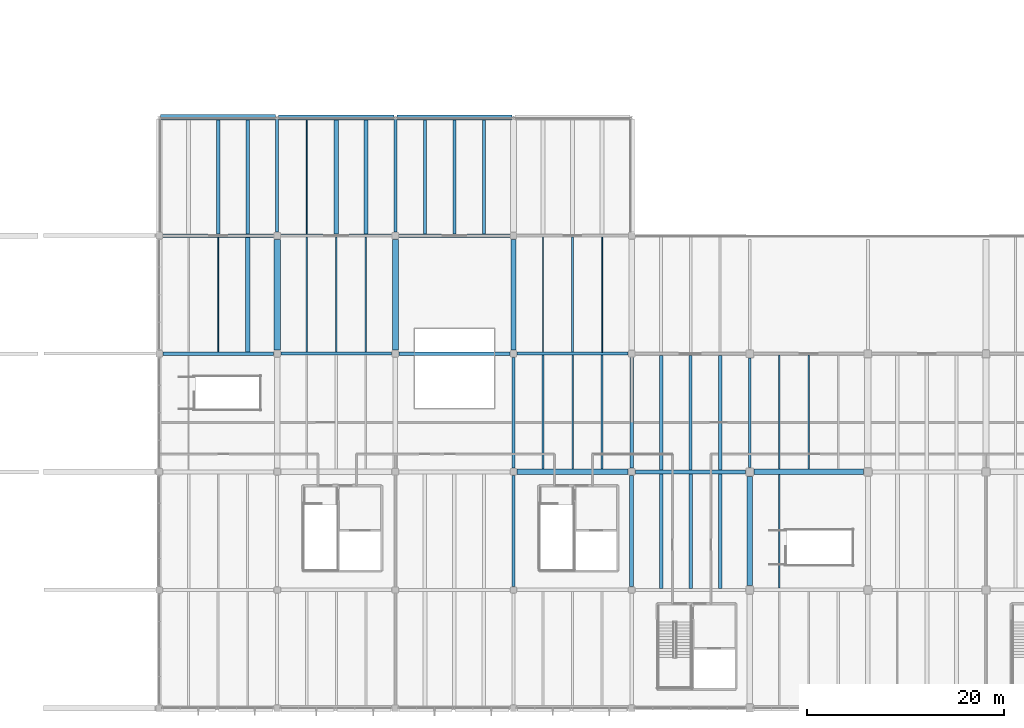
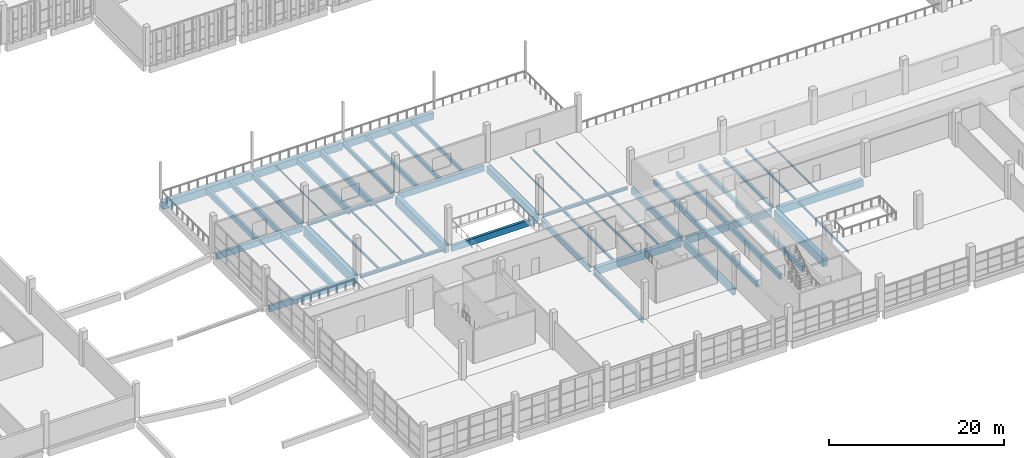
# One storey, part 24 of 112: 52 beams.
"""IFC4 building model written with IfcOpenShell, lengths in metres."""

from ifc_helpers import new_model, si_unit, direction, frame, origin, origin_2d, place, context, subcontext, project, spatial, rectangle, i_section, extrude, material, material_profile, profile_set, type_object, element, save


model = new_model("IFC4")

# Units and contexts
model_context = context("Model", 3, precision=1e-05, world=origin(), true_north=direction((0.0, 1.0)))
body_context = subcontext(model_context, "Body", "Model", "MODEL_VIEW")
ifc_project = project(units=[si_unit("LENGTHUNIT", "METRE"), si_unit("AREAUNIT", "SQUARE_METRE"), si_unit("VOLUMEUNIT", "CUBIC_METRE"), si_unit("PLANEANGLEUNIT", "RADIAN"), si_unit("MASSUNIT", "GRAM", prefix="KILO")], contexts=[model_context])

# Site, building, storey
site_placement = place(None, origin())
site = spatial("IfcSite", under=ifc_project, at=site_placement, CompositionType="ELEMENT")
building_placement = place(site_placement, origin())
building = spatial("IfcBuilding", under=site, at=building_placement, Name="Kamomehara Wholesale Market", CompositionType="ELEMENT")
storey_placement = place(building_placement, frame((0.0, 0.0, 6.60009765625)))
storey = spatial("IfcBuildingStorey", under=building, at=storey_placement, Name="L01", CompositionType="ELEMENT", Elevation=6.60009765625)

# Beams
ifc_material_1 = material(Name="Precast concrete Fc45 (C40/50)", Category="concrete")
ifc_material_profile_1 = material_profile(ifc_material_1, rectangle(XDim=0.5, YDim=1.0, at=origin_2d()), Name="PC-GRD-500x1000")
ifc_profile_set_1 = profile_set([ifc_material_profile_1], Name="Precast concrete Fc45 (C40/50)")
beam_type_1 = type_object("IfcBeamType", Name="BM-PG1000", PredefinedType="T_BEAM", material=ifc_profile_set_1)
beam_1_placement = place(storey_placement, frame((96.0, 48.375, -0.85205078125), z_axis=(0.0, 1.0, 0.0), x_axis=(-1.0, 0.0, 0.0)))
element("IfcBeam", 1, at=beam_1_placement, inside=storey, type_object=beam_type_1, Name="Beam PG-09 L01", PredefinedType="T_BEAM", context=body_context, shape_type="SweptSolid", body=[
    extrude(rectangle(XDim=0.5, YDim=1.0, at=origin_2d()), origin(), (0.0, 0.0, 1.0), 11.25),
])
beam_2_placement = place(storey_placement, frame((72.14990234375, 72.0, -0.837158203125), z_axis=(1.0, 0.0, 0.0), x_axis=(0.0, 1.0, 0.0)))
element("IfcBeam", 2, at=beam_2_placement, inside=storey, type_object=beam_type_1, Name="Beam PG-09 L01", PredefinedType="T_BEAM", context=body_context, shape_type="SweptSolid", body=[
    extrude(rectangle(XDim=0.5, YDim=1.0, at=origin_2d()), origin(), (0.0, 0.0, 1.0), 11.7001953125),
])
ifc_material_2 = material(Name="Precast concrete Fc45 (C40/50)", Category="concrete")
ifc_material_profile_2 = material_profile(ifc_material_2, rectangle(XDim=0.550048828125, YDim=1.050048828125, at=origin_2d()), Name="PC-GRD-550x1050")
ifc_profile_set_2 = profile_set([ifc_material_profile_2], Name="Precast concrete Fc45 (C40/50)")
beam_type_2 = type_object("IfcBeamType", Name="BM-PG1050", PredefinedType="T_BEAM", material=ifc_profile_set_2)
beam_3_placement = place(storey_placement, frame((60.14990234375, 72.0, -0.862060546875), z_axis=(1.0, 0.0, 0.0), x_axis=(0.0, 1.0, 0.0)))
element("IfcBeam", 3, at=beam_3_placement, inside=storey, type_object=beam_type_2, Name="Beam PG-08 L01", PredefinedType="T_BEAM", context=body_context, shape_type="SweptSolid", body=[
    extrude(rectangle(XDim=0.550048828125, YDim=1.050048828125, at=origin_2d()), origin(), (0.0, 0.0, 1.0), 11.7001953125),
])
ifc_material_3 = material(Name="Precast concrete Fc45 (C40/50)", Category="concrete")
ifc_material_profile_3 = material_profile(ifc_material_3, rectangle(XDim=0.60009765625, YDim=1.199951171875, at=origin_2d()), Name="PC-GRD-600x1200")
ifc_profile_set_3 = profile_set([ifc_material_profile_3], Name="Precast concrete Fc45 (C40/50)")
beam_type_3 = type_object("IfcBeamType", Name="BM-PG1200", PredefinedType="T_BEAM", material=ifc_profile_set_3)
beam_4_placement = place(storey_placement, frame((120.0, 24.449951171875, -0.93212890625), z_axis=(0.0, 1.0, 0.0), x_axis=(-1.0, 0.0, 0.0)))
element("IfcBeam", 4, at=beam_4_placement, inside=storey, type_object=beam_type_3, Name="Beam PG-05 L01", PredefinedType="T_BEAM", context=body_context, shape_type="SweptSolid", body=[
    extrude(rectangle(XDim=0.60009765625, YDim=1.199951171875, at=origin_2d()), origin(), (0.0, 0.0, 1.0), 11.10009765625),
])
beam_5_placement = place(storey_placement, frame((84.0, 48.375, -0.9521484375), z_axis=(0.0, 1.0, 0.0), x_axis=(-1.0, 0.0, 0.0)))
element("IfcBeam", 5, at=beam_5_placement, inside=storey, type_object=beam_type_3, Name="Beam PG-05 L01", PredefinedType="T_BEAM", context=body_context, shape_type="SweptSolid", body=[
    extrude(rectangle(XDim=0.60009765625, YDim=1.199951171875, at=origin_2d()), origin(), (0.0, 0.0, 1.0), 11.25),
])
ifc_material_4 = material(Name="Precast concrete Fc45 (C40/50)", Category="concrete")
ifc_material_profile_4 = material_profile(ifc_material_4, rectangle(XDim=0.64990234375, YDim=1.35009765625, at=origin_2d()), Name="PC-GRD-650x1350")
ifc_profile_set_4 = profile_set([ifc_material_profile_4], Name="Precast concrete Fc45 (C40/50)")
beam_type_4 = type_object("IfcBeamType", Name="BM-PG1350", PredefinedType="T_BEAM", material=ifc_profile_set_4)
beam_6_placement = place(storey_placement, frame((72.0, 48.375, -1.027099609375), z_axis=(0.0, 1.0, 0.0), x_axis=(-1.0, 0.0, 0.0)))
element("IfcBeam", 6, at=beam_6_placement, inside=storey, type_object=beam_type_4, Name="Beam PG-03 L01", PredefinedType="T_BEAM", context=body_context, shape_type="SweptSolid", body=[
    extrude(rectangle(XDim=0.64990234375, YDim=1.35009765625, at=origin_2d()), origin(), (0.0, 0.0, 1.0), 11.25),
])
ifc_material_5 = material(Name="Precast concrete Fc45 (C40/50)", Category="concrete")
ifc_material_profile_5 = material_profile(ifc_material_5, rectangle(XDim=0.47998046875, YDim=0.949951171875, at=origin_2d()), Name="PC-GRD-480x950")
ifc_profile_set_5 = profile_set([ifc_material_profile_5], Name="Precast concrete Fc45 (C40/50)")
beam_type_5 = type_object("IfcBeamType", Name="BM-PG950", PredefinedType="T_BEAM", material=ifc_profile_set_5)
beam_7_placement = place(storey_placement, frame((84.14990234375, 72.0, -0.81201171875), z_axis=(1.0, 0.0, 0.0), x_axis=(0.0, 1.0, 0.0)))
element("IfcBeam", 7, at=beam_7_placement, inside=storey, type_object=beam_type_5, Name="Beam PG-16 L01", PredefinedType="T_BEAM", context=body_context, shape_type="SweptSolid", body=[
    extrude(rectangle(XDim=0.47998046875, YDim=0.949951171875, at=origin_2d()), origin(), (0.0, 0.0, 1.0), 11.7001953125),
])
ifc_material_6 = material(Name="Precast concrete Fc45 (C40/50)", Category="concrete")
ifc_material_profile_6 = material_profile(ifc_material_6, rectangle(XDim=0.280029296875, YDim=0.5, at=origin_2d()), Name="PC-JST-280x500")
ifc_profile_set_6 = profile_set([ifc_material_profile_6], Name="Precast concrete Fc45 (C40/50)")
beam_type_6 = type_object("IfcBeamType", Name="BM-PJ500", PredefinedType="JOIST", material=ifc_profile_set_6)
beam_8_placement = place(storey_placement, frame((93.0, 60.175048828125, -0.587158203125), z_axis=(0.0, 1.0, 0.0), x_axis=(-1.0, 0.0, 0.0)))
element("IfcBeam", 8, at=beam_8_placement, inside=storey, type_object=beam_type_6, Name="Beam PJ-11 L01", PredefinedType="JOIST", context=body_context, shape_type="SweptSolid", body=[
    extrude(rectangle(XDim=0.280029296875, YDim=0.5, at=origin_2d()), origin(), (0.0, 0.0, 1.0), 11.5849609375),
])
ifc_material_7 = material(Name="Precast concrete Fc45 (C40/50)", Category="concrete")
ifc_material_profile_7 = material_profile(ifc_material_7, rectangle(XDim=0.300048828125, YDim=0.550048828125, at=origin_2d()), Name="PC-JST-300x550")
ifc_profile_set_7 = profile_set([ifc_material_profile_7], Name="Precast concrete Fc45 (C40/50)")
beam_type_7 = type_object("IfcBeamType", Name="BM-PJ550", PredefinedType="JOIST", material=ifc_profile_set_7)
beam_9_placement = place(storey_placement, frame((90.0, 60.175048828125, -0.612060546875), z_axis=(0.0, 1.0, 0.0), x_axis=(-1.0, 0.0, 0.0)))
element("IfcBeam", 9, at=beam_9_placement, inside=storey, type_object=beam_type_7, Name="Beam PJ-06 L01", PredefinedType="JOIST", context=body_context, shape_type="SweptSolid", body=[
    extrude(rectangle(XDim=0.300048828125, YDim=0.550048828125, at=origin_2d()), origin(), (0.0, 0.0, 1.0), 11.5849609375),
])
ifc_material_8 = material(Name="Precast concrete Fc45 (C40/50)", Category="concrete")
ifc_material_profile_8 = material_profile(ifc_material_8, rectangle(XDim=0.320068359375, YDim=0.60009765625, at=origin_2d()), Name="PC-JST-320x600")
ifc_profile_set_8 = profile_set([ifc_material_profile_8], Name="Precast concrete Fc45 (C40/50)")
beam_type_8 = type_object("IfcBeamType", Name="BM-PJ600", PredefinedType="JOIST", material=ifc_profile_set_8)
beam_10_placement = place(storey_placement, frame((87.0, 60.175048828125, -0.63720703125), z_axis=(0.0, 1.0, 0.0), x_axis=(-1.0, 0.0, 0.0)))
element("IfcBeam", 10, at=beam_10_placement, inside=storey, type_object=beam_type_8, Name="Beam PJ-05 L01", PredefinedType="JOIST", context=body_context, shape_type="SweptSolid", body=[
    extrude(rectangle(XDim=0.320068359375, YDim=0.60009765625, at=origin_2d()), origin(), (0.0, 0.0, 1.0), 11.5849609375),
])
beam_11_placement = place(storey_placement, frame((117.0, 36.199951171875, -0.632080078125), z_axis=(0.0, 1.0, 0.0), x_axis=(-1.0, 0.0, 0.0)))
element("IfcBeam", 11, at=beam_11_placement, inside=storey, type_object=beam_type_8, Name="Beam PJ-05 L01", PredefinedType="JOIST", context=body_context, shape_type="SweptSolid", body=[
    extrude(rectangle(XDim=0.320068359375, YDim=0.60009765625, at=origin_2d()), origin(), (0.0, 0.0, 1.0), 11.625),
])
ifc_material_9 = material(Name="Precast concrete Fc45 (C40/50)", Category="concrete")
ifc_material_profile_9 = material_profile(ifc_material_9, rectangle(XDim=0.300048828125, YDim=0.60009765625, at=origin_2d()), Name="PC-JST-300x600")
ifc_profile_set_9 = profile_set([ifc_material_profile_9], Name="Precast concrete Fc45 (C40/50)")
beam_type_9 = type_object("IfcBeamType", Name="BM-PJ600B", PredefinedType="JOIST", material=ifc_profile_set_9)
beam_12_placement = place(storey_placement, frame((114.0, 36.199951171875, -0.632080078125), z_axis=(0.0, 1.0, 0.0), x_axis=(-1.0, 0.0, 0.0)))
element("IfcBeam", 12, at=beam_12_placement, inside=storey, type_object=beam_type_9, Name="Beam PJ-10 L01", PredefinedType="JOIST", context=body_context, shape_type="SweptSolid", body=[
    extrude(rectangle(XDim=0.300048828125, YDim=0.60009765625, at=origin_2d()), origin(), (0.0, 0.0, 1.0), 11.625),
])
ifc_material_10 = material(Name="Precast concrete Fc45 (C40/50)", Category="concrete")
ifc_material_profile_10 = material_profile(ifc_material_10, rectangle(XDim=0.35009765625, YDim=0.64990234375, at=origin_2d()), Name="PC-JST-350x650")
ifc_profile_set_10 = profile_set([ifc_material_profile_10], Name="Precast concrete Fc45 (C40/50)")
beam_type_10 = type_object("IfcBeamType", Name="BM-PJ650", PredefinedType="JOIST", material=ifc_profile_set_10)
beam_13_placement = place(storey_placement, frame((111.0, 36.199951171875, -0.656982421875), z_axis=(0.0, 1.0, 0.0), x_axis=(-1.0, 0.0, 0.0)))
element("IfcBeam", 13, at=beam_13_placement, inside=storey, type_object=beam_type_10, Name="Beam PJ-04 L01", PredefinedType="JOIST", context=body_context, shape_type="SweptSolid", body=[
    extrude(rectangle(XDim=0.35009765625, YDim=0.64990234375, at=origin_2d()), origin(), (0.0, 0.0, 1.0), 11.625),
])
ifc_material_11 = material(Name="Precast concrete Fc45 (C40/50)", Category="concrete")
ifc_material_profile_11 = material_profile(ifc_material_11, rectangle(XDim=0.340087890625, YDim=0.679931640625, at=origin_2d()), Name="PC-JST-340x680")
ifc_profile_set_11 = profile_set([ifc_material_profile_11], Name="Precast concrete Fc45 (C40/50)")
beam_type_11 = type_object("IfcBeamType", Name="BM-PJ680", PredefinedType="JOIST", material=ifc_profile_set_11)
beam_14_placement = place(storey_placement, frame((117.0, 24.14990234375, -0.672119140625), z_axis=(0.0, 1.0, 0.0), x_axis=(-1.0, 0.0, 0.0)))
element("IfcBeam", 14, at=beam_14_placement, inside=storey, type_object=beam_type_11, Name="Beam PJ-09 L01", PredefinedType="JOIST", context=body_context, shape_type="SweptSolid", body=[
    extrude(rectangle(XDim=0.340087890625, YDim=0.679931640625, at=origin_2d()), origin(), (0.0, 0.0, 1.0), 11.650146484375),
])
ifc_material_12 = material(Name="Precast concrete Fc45 (C40/50)", Category="concrete")
ifc_material_profile_12 = material_profile(ifc_material_12, rectangle(XDim=0.35009765625, YDim=0.699951171875, at=origin_2d()), Name="PC-JST-350x700")
ifc_profile_set_12 = profile_set([ifc_material_profile_12], Name="Precast concrete Fc45 (C40/50)")
beam_type_12 = type_object("IfcBeamType", Name="BM-PJ700", PredefinedType="JOIST", material=ifc_profile_set_12)
beam_15_placement = place(storey_placement, frame((114.0, 24.14990234375, -0.68212890625), z_axis=(0.0, 1.0, 0.0), x_axis=(-1.0, 0.0, 0.0)))
element("IfcBeam", 15, at=beam_15_placement, inside=storey, type_object=beam_type_12, Name="Beam PJ-03 L01", PredefinedType="JOIST", context=body_context, shape_type="SweptSolid", body=[
    extrude(rectangle(XDim=0.35009765625, YDim=0.699951171875, at=origin_2d()), origin(), (0.0, 0.0, 1.0), 11.650146484375),
])
ifc_material_13 = material(Name="Precast concrete Fc45 (C40/50)", Category="concrete")
ifc_material_profile_13 = material_profile(ifc_material_13, rectangle(XDim=0.360107421875, YDim=0.719970703125, at=origin_2d()), Name="PC-JST-360x720")
ifc_profile_set_13 = profile_set([ifc_material_profile_13], Name="Precast concrete Fc45 (C40/50)")
beam_type_13 = type_object("IfcBeamType", Name="BM-PJ720", PredefinedType="JOIST", material=ifc_profile_set_13)
beam_16_placement = place(storey_placement, frame((69.0, 60.175048828125, -0.697021484375), z_axis=(0.0, 1.0, 0.0), x_axis=(-1.0, 0.0, 0.0)))
element("IfcBeam", 16, at=beam_16_placement, inside=storey, type_object=beam_type_13, Name="Beam PJ-08 L01", PredefinedType="JOIST", context=body_context, shape_type="SweptSolid", body=[
    extrude(rectangle(XDim=0.360107421875, YDim=0.719970703125, at=origin_2d()), origin(), (0.0, 0.0, 1.0), 11.550048828125),
])
beam_17_placement = place(storey_placement, frame((111.0, 24.14990234375, -0.692138671875), z_axis=(0.0, 1.0, 0.0), x_axis=(-1.0, 0.0, 0.0)))
element("IfcBeam", 17, at=beam_17_placement, inside=storey, type_object=beam_type_13, Name="Beam PJ-08 L01", PredefinedType="JOIST", context=body_context, shape_type="SweptSolid", body=[
    extrude(rectangle(XDim=0.360107421875, YDim=0.719970703125, at=origin_2d()), origin(), (0.0, 0.0, 1.0), 11.650146484375),
])
ifc_material_14 = material(Name="Precast concrete Fc45 (C40/50)", Category="concrete")
ifc_material_profile_14 = material_profile(ifc_material_14, rectangle(XDim=0.3798828125, YDim=0.75, at=origin_2d()), Name="PC-JST-380x750")
ifc_profile_set_14 = profile_set([ifc_material_profile_14], Name="Precast concrete Fc45 (C40/50)")
beam_type_14 = type_object("IfcBeamType", Name="BM-PJ750", PredefinedType="JOIST", material=ifc_profile_set_14)
beam_18_placement = place(storey_placement, frame((66.0, 60.175048828125, -0.712158203125), z_axis=(0.0, 1.0, 0.0), x_axis=(-1.0, 0.0, 0.0)))
element("IfcBeam", 18, at=beam_18_placement, inside=storey, type_object=beam_type_14, Name="Beam PJ-02 L01", PredefinedType="JOIST", context=body_context, shape_type="SweptSolid", body=[
    extrude(rectangle(XDim=0.3798828125, YDim=0.75, at=origin_2d()), origin(), (0.0, 0.0, 1.0), 11.550048828125),
])
ifc_material_15 = material(Name="Precast concrete Fc45 (C40/50)", Category="concrete")
ifc_material_profile_15 = material_profile(ifc_material_15, rectangle(XDim=0.39990234375, YDim=0.800048828125, at=origin_2d()), Name="PC-JST-400x800")
ifc_profile_set_15 = profile_set([ifc_material_profile_15], Name="Precast concrete Fc45 (C40/50)")
beam_type_15 = type_object("IfcBeamType", Name="BM-PJ800", PredefinedType="JOIST", material=ifc_profile_set_15)
beam_19_placement = place(storey_placement, frame((81.0, 60.14990234375, -0.752197265625), z_axis=(0.0, 1.0, 0.0), x_axis=(-1.0, 0.0, 0.0)))
element("IfcBeam", 19, at=beam_19_placement, inside=storey, type_object=beam_type_15, Name="Beam PJ-01 L01", PredefinedType="JOIST", context=body_context, shape_type="SweptSolid", body=[
    extrude(rectangle(XDim=0.39990234375, YDim=0.800048828125, at=origin_2d()), origin(), (0.0, 0.0, 1.0), 11.60009765625),
])
ifc_material_16 = material(Name="Precast concrete Fc45 (C40/50)", Category="concrete")
ifc_material_profile_16 = material_profile(ifc_material_16, rectangle(XDim=0.419921875, YDim=0.840087890625, at=origin_2d()), Name="PC-JST-420x840")
ifc_profile_set_16 = profile_set([ifc_material_profile_16], Name="Precast concrete Fc45 (C40/50)")
beam_type_16 = type_object("IfcBeamType", Name="BM-PJ840", PredefinedType="JOIST", material=ifc_profile_set_16)
beam_20_placement = place(storey_placement, frame((69.0, 48.175048828125, -0.76220703125), z_axis=(0.0, 1.0, 0.0), x_axis=(-1.0, 0.0, 0.0)))
element("IfcBeam", 20, at=beam_20_placement, inside=storey, type_object=beam_type_16, Name="Beam PJ-07 L01", PredefinedType="JOIST", context=body_context, shape_type="SweptSolid", body=[
    extrude(rectangle(XDim=0.419921875, YDim=0.840087890625, at=origin_2d()), origin(), (0.0, 0.0, 1.0), 11.64990234375),
])
beam_21_placement = place(storey_placement, frame((78.0, 60.14990234375, -0.772216796875), z_axis=(0.0, 1.0, 0.0), x_axis=(-1.0, 0.0, 0.0)))
element("IfcBeam", 21, at=beam_21_placement, inside=storey, type_object=beam_type_16, Name="Beam PJ-07 L01", PredefinedType="JOIST", context=body_context, shape_type="SweptSolid", body=[
    extrude(rectangle(XDim=0.419921875, YDim=0.840087890625, at=origin_2d()), origin(), (0.0, 0.0, 1.0), 11.60009765625),
])
ifc_material_17 = material(Name="Concrete Fc36 (C35/45)", Category="concrete")
ifc_material_profile_17 = material_profile(ifc_material_17, rectangle(XDim=0.550048828125, YDim=1.0, at=origin_2d()), Name="RC-SEB-550x1000")
ifc_profile_set_17 = profile_set([ifc_material_profile_17], Name="Concrete Fc36 (C35/45)")
beam_type_17 = type_object("IfcBeamType", Name="BM-SEB1000-EXT", PredefinedType="SPANDREL", material=ifc_profile_set_17)
beam_22_placement = place(storey_placement, frame((96.375, 36.0, -0.81201171875), z_axis=(1.0, 0.0, 0.0), x_axis=(0.0, 1.0, 0.0)))
element("IfcBeam", 22, at=beam_22_placement, inside=storey, type_object=beam_type_17, Name="Beam SEB-03E L01", PredefinedType="SPANDREL", context=body_context, shape_type="SweptSolid", body=[
    extrude(rectangle(XDim=0.550048828125, YDim=1.0, at=origin_2d()), origin(), (0.0, 0.0, 1.0), 11.25),
])
beam_23_placement = place(storey_placement, frame((120.449951171875, 36.0, -0.822021484375), z_axis=(1.0, 0.0, 0.0), x_axis=(0.0, 1.0, 0.0)))
element("IfcBeam", 23, at=beam_23_placement, inside=storey, type_object=beam_type_17, Name="Beam SEB-03E L01", PredefinedType="SPANDREL", context=body_context, shape_type="SweptSolid", body=[
    extrude(rectangle(XDim=0.550048828125, YDim=1.0, at=origin_2d()), origin(), (0.0, 0.0, 1.0), 11.10009765625),
])
ifc_material_18 = material(Name="Precast concrete Fc45 (C40/50)", Category="concrete")
ifc_material_profile_18 = material_profile(ifc_material_18, rectangle(XDim=0.35009765625, YDim=0.85009765625, at=origin_2d()), Name="PC-SPN-350x850")
ifc_profile_set_18 = profile_set([ifc_material_profile_18], Name="Precast concrete Fc45 (C40/50)")
beam_type_18 = type_object("IfcBeamType", Name="BM-SPN850-EXT", PredefinedType="SPANDREL", material=ifc_profile_set_18)
for number, where, z_axis, x_axis, name in (
    (24, (108.0, 36.375, -0.757080078125), (0.0, 1.0, 0.0), (-1.0, 0.0, 0.0), "Beam SPN-02E L01"),
    (25, (60.375, 48.0, -0.76708984375), (1.0, 0.0, 0.0), (0.0, 1.0, 0.0), "Beam SPN-02E L01"),
    (26, (84.375, 48.0, -0.777099609375), (1.0, 0.0, 0.0), (0.0, 1.0, 0.0), "Beam SPN-02E L01"),
    (27, (60.375, 60.0, -0.76708984375), (1.0, 0.0, 0.0), (0.0, 1.0, 0.0), "Beam SPN-02E L01"),
    (28, (84.375, 60.0, -0.777099609375), (1.0, 0.0, 0.0), (0.0, 1.0, 0.0), "Beam SPN-02E L01"),
):
    element("IfcBeam", number, at=place(storey_placement, frame(where, z_axis=z_axis, x_axis=x_axis)), inside=storey, type_object=beam_type_18, Name=name, PredefinedType="SPANDREL", context=body_context, shape_type="SweptSolid", body=[
        extrude(rectangle(XDim=0.35009765625, YDim=0.85009765625, at=origin_2d()), origin(), (0.0, 0.0, 1.0), 11.25),
    ])
ifc_material_19 = material(Name="Precast concrete Fc45 (C40/50)", Category="concrete")
ifc_material_profile_19 = material_profile(ifc_material_19, rectangle(XDim=0.39990234375, YDim=0.949951171875, at=origin_2d()), Name="PC-SPN-400x950")
ifc_profile_set_19 = profile_set([ifc_material_profile_19], Name="Precast concrete Fc45 (C40/50)")
beam_type_19 = type_object("IfcBeamType", Name="BM-SPN950-EXT", PredefinedType="SPANDREL", material=ifc_profile_set_19)
beam_24_placement = place(storey_placement, frame((108.0, 24.375, -0.80712890625), z_axis=(0.0, 1.0, 0.0), x_axis=(-1.0, 0.0, 0.0)))
element("IfcBeam", 29, at=beam_24_placement, inside=storey, type_object=beam_type_19, Name="Beam SPN-01E L01", PredefinedType="SPANDREL", context=body_context, shape_type="SweptSolid", body=[
    extrude(rectangle(XDim=0.39990234375, YDim=0.949951171875, at=origin_2d()), origin(), (0.0, 0.0, 1.0), 11.25),
])
beam_25_placement = place(storey_placement, frame((108.375, 36.0, -0.80712890625), z_axis=(1.0, 0.0, 0.0), x_axis=(0.0, 1.0, 0.0)))
element("IfcBeam", 30, at=beam_25_placement, inside=storey, type_object=beam_type_19, Name="Beam SPN-01E L01", PredefinedType="SPANDREL", context=body_context, shape_type="SweptSolid", body=[
    extrude(rectangle(XDim=0.39990234375, YDim=0.949951171875, at=origin_2d()), origin(), (0.0, 0.0, 1.0), 11.175048828125),
])
ifc_material_20 = material(Name="Steel SN400B", Category="steel")
ifc_material_profile_20 = material_profile(ifc_material_20, i_section(OverallWidth=0.10009765625, OverallDepth=0.199951171875, WebThickness=0.005615234375, FlangeThickness=0.008056640625, FilletRadius=0.008056640625, at=origin_2d()), Name="H-200x100x5.5x8")
ifc_profile_set_20 = profile_set([ifc_material_profile_20], Name="Steel SN400B")
beam_type_20 = type_object("IfcBeamType", Name="BM-ST-H200", PredefinedType="LINTEL", material=ifc_profile_set_20)
beam_26_placement = place(storey_placement, frame((66.0, 48.175048828125, -0.442138671875), z_axis=(0.0, 1.0, 0.0), x_axis=(-1.0, 0.0, 0.0)))
element("IfcBeam", 31, at=beam_26_placement, inside=storey, type_object=beam_type_20, Name="Beam SJ-07 L01", PredefinedType="LINTEL", context=body_context, shape_type="SweptSolid", body=[
    extrude(i_section(OverallWidth=0.10009765625, OverallDepth=0.199951171875, WebThickness=0.005615234375, FlangeThickness=0.008056640625, FilletRadius=0.008056640625, at=origin_2d()), origin(), (0.0, 0.0, 1.0), 11.64990234375),
])
beam_27_placement = place(storey_placement, frame((75.0, 60.14990234375, -0.43701171875), z_axis=(0.0, 1.0, 0.0), x_axis=(-1.0, 0.0, 0.0)))
element("IfcBeam", 32, at=beam_27_placement, inside=storey, type_object=beam_type_20, Name="Beam SJ-07 L01", PredefinedType="LINTEL", context=body_context, shape_type="SweptSolid", body=[
    extrude(i_section(OverallWidth=0.10009765625, OverallDepth=0.199951171875, WebThickness=0.005615234375, FlangeThickness=0.008056640625, FilletRadius=0.008056640625, at=origin_2d()), origin(), (0.0, 0.0, 1.0), 11.60009765625),
])
beam_28_placement = place(storey_placement, frame((105.0, 48.14990234375, -0.412109375), z_axis=(0.0, 1.0, 0.0), x_axis=(-1.0, 0.0, 0.0)))
element("IfcBeam", 33, at=beam_28_placement, inside=storey, type_object=beam_type_20, Name="Beam SJ-07 L01", PredefinedType="LINTEL", context=body_context, shape_type="SweptSolid", body=[
    extrude(i_section(OverallWidth=0.10009765625, OverallDepth=0.199951171875, WebThickness=0.005615234375, FlangeThickness=0.008056640625, FilletRadius=0.008056640625, at=origin_2d()), origin(), (0.0, 0.0, 1.0), 11.7001953125),
])
ifc_material_21 = material(Name="Steel SN400B", Category="steel")
ifc_material_profile_21 = material_profile(ifc_material_21, i_section(OverallWidth=0.175048828125, OverallDepth=0.243896484375, WebThickness=0.007080078125, FlangeThickness=0.010986328125, FilletRadius=0.010986328125, at=origin_2d()), Name="H-244x175x7x11")
ifc_profile_set_21 = profile_set([ifc_material_profile_21], Name="Steel SN400B")
beam_type_21 = type_object("IfcBeamType", Name="BM-ST-H244", PredefinedType="JOIST", material=ifc_profile_set_21)
for number, where, z_axis, x_axis, name in (
    (34, (81.0, 48.14990234375, -0.47412109375), (0.0, 1.0, 0.0), (-1.0, 0.0, 0.0), "Beam SJ-10 L01"),
    (35, (102.0, 48.14990234375, -0.43408203125), (0.0, 1.0, 0.0), (-1.0, 0.0, 0.0), "Beam SJ-10 L01"),
):
    element("IfcBeam", number, at=place(storey_placement, frame(where, z_axis=z_axis, x_axis=x_axis)), inside=storey, type_object=beam_type_21, Name=name, PredefinedType="JOIST", context=body_context, shape_type="SweptSolid", body=[
        extrude(i_section(OverallWidth=0.175048828125, OverallDepth=0.243896484375, WebThickness=0.007080078125, FlangeThickness=0.010986328125, FilletRadius=0.010986328125, at=origin_2d()), origin(), (0.0, 0.0, 1.0), 11.7001953125),
    ])
ifc_material_22 = material(Name="Steel SN400B", Category="steel")
ifc_material_profile_22 = material_profile(ifc_material_22, i_section(OverallWidth=0.125, OverallDepth=0.25, WebThickness=0.006103515625, FlangeThickness=0.009033203125, FilletRadius=0.008056640625, at=origin_2d()), Name="H-250x125x6x9")
ifc_profile_set_22 = profile_set([ifc_material_profile_22], Name="Steel SN400B")
beam_type_22 = type_object("IfcBeamType", Name="BM-ST-H250", PredefinedType="JOIST", material=ifc_profile_set_22)
for number, where, z_axis, x_axis, name in (
    (36, (78.0, 48.14990234375, -0.47705078125), (0.0, 1.0, 0.0), (-1.0, 0.0, 0.0), "Beam SJ-06 L01"),
    (37, (99.0, 48.14990234375, -0.43701171875), (0.0, 1.0, 0.0), (-1.0, 0.0, 0.0), "Beam SJ-06 L01"),
):
    element("IfcBeam", number, at=place(storey_placement, frame(where, z_axis=z_axis, x_axis=x_axis)), inside=storey, type_object=beam_type_22, Name=name, PredefinedType="JOIST", context=body_context, shape_type="SweptSolid", body=[
        extrude(i_section(OverallWidth=0.125, OverallDepth=0.25, WebThickness=0.006103515625, FlangeThickness=0.009033203125, FilletRadius=0.008056640625, at=origin_2d()), origin(), (0.0, 0.0, 1.0), 11.7001953125),
    ])
beam_29_placement = place(storey_placement, frame((126.0, 36.27490234375, -0.447021484375), z_axis=(0.0, 1.0, 0.0), x_axis=(-1.0, 0.0, 0.0)))
element("IfcBeam", 38, at=beam_29_placement, inside=storey, type_object=beam_type_22, Name="Beam SJ-06 L01", PredefinedType="JOIST", context=body_context, shape_type="SweptSolid", body=[
    extrude(i_section(OverallWidth=0.125, OverallDepth=0.25, WebThickness=0.006103515625, FlangeThickness=0.009033203125, FilletRadius=0.008056640625, at=origin_2d()), origin(), (0.0, 0.0, 1.0), 11.5751953125),
])
ifc_material_23 = material(Name="Steel SN400B", Category="steel")
ifc_material_profile_23 = material_profile(ifc_material_23, i_section(OverallWidth=0.199951171875, OverallDepth=0.2939453125, WebThickness=0.008056640625, FlangeThickness=0.011962890625, FilletRadius=0.012939453125, at=origin_2d()), Name="H-294x200x8x12")
ifc_profile_set_23 = profile_set([ifc_material_profile_23], Name="Steel SN400B")
beam_type_23 = type_object("IfcBeamType", Name="BM-ST-H294", PredefinedType="JOIST", material=ifc_profile_set_23)
beam_30_placement = place(storey_placement, frame((75.0, 48.14990234375, -0.4990234375), z_axis=(0.0, 1.0, 0.0), x_axis=(-1.0, 0.0, 0.0)))
element("IfcBeam", 39, at=beam_30_placement, inside=storey, type_object=beam_type_23, Name="Beam SJ-09 L01", PredefinedType="JOIST", context=body_context, shape_type="SweptSolid", body=[
    extrude(i_section(OverallWidth=0.199951171875, OverallDepth=0.2939453125, WebThickness=0.008056640625, FlangeThickness=0.011962890625, FilletRadius=0.012939453125, at=origin_2d()), origin(), (0.0, 0.0, 1.0), 11.7001953125),
])
for number, where, z_axis, x_axis, name in (
    (40, (105.0, 36.27490234375, -0.458984375), (0.0, 1.0, 0.0), (-1.0, 0.0, 0.0), "Beam SJ-09 L01"),
    (41, (123.0, 36.27490234375, -0.468994140625), (0.0, 1.0, 0.0), (-1.0, 0.0, 0.0), "Beam SJ-09 L01"),
):
    element("IfcBeam", number, at=place(storey_placement, frame(where, z_axis=z_axis, x_axis=x_axis)), inside=storey, type_object=beam_type_23, Name=name, PredefinedType="JOIST", context=body_context, shape_type="SweptSolid", body=[
        extrude(i_section(OverallWidth=0.199951171875, OverallDepth=0.2939453125, WebThickness=0.008056640625, FlangeThickness=0.011962890625, FilletRadius=0.012939453125, at=origin_2d()), origin(), (0.0, 0.0, 1.0), 11.5751953125),
    ])
ifc_material_24 = material(Name="Steel SN400B", Category="steel")
ifc_material_profile_24 = material_profile(ifc_material_24, i_section(OverallWidth=0.14990234375, OverallDepth=0.300048828125, WebThickness=0.006591796875, FlangeThickness=0.009033203125, FilletRadius=0.012939453125, at=origin_2d()), Name="H-300x150x6.5x9")
ifc_profile_set_24 = profile_set([ifc_material_profile_24], Name="Steel SN400B")
beam_type_24 = type_object("IfcBeamType", Name="BM-ST-H300", PredefinedType="JOIST", material=ifc_profile_set_24)
beam_31_placement = place(storey_placement, frame((102.0, 36.27490234375, -0.462158203125), z_axis=(0.0, 1.0, 0.0), x_axis=(-1.0, 0.0, 0.0)))
element("IfcBeam", 42, at=beam_31_placement, inside=storey, type_object=beam_type_24, Name="Beam SJ-05 L01", PredefinedType="JOIST", context=body_context, shape_type="SweptSolid", body=[
    extrude(i_section(OverallWidth=0.14990234375, OverallDepth=0.300048828125, WebThickness=0.006591796875, FlangeThickness=0.009033203125, FilletRadius=0.012939453125, at=origin_2d()), origin(), (0.0, 0.0, 1.0), 11.5751953125),
])
beam_32_placement = place(storey_placement, frame((123.0, 24.175048828125, -0.47216796875), z_axis=(0.0, 1.0, 0.0), x_axis=(-1.0, 0.0, 0.0)))
element("IfcBeam", 43, at=beam_32_placement, inside=storey, type_object=beam_type_24, Name="Beam SJ-05 L01", PredefinedType="JOIST", context=body_context, shape_type="SweptSolid", body=[
    extrude(i_section(OverallWidth=0.14990234375, OverallDepth=0.300048828125, WebThickness=0.006591796875, FlangeThickness=0.009033203125, FilletRadius=0.012939453125, at=origin_2d()), origin(), (0.0, 0.0, 1.0), 11.550048828125),
])
ifc_material_25 = material(Name="Steel SN490B", Category="steel")
ifc_material_profile_25 = material_profile(ifc_material_25, i_section(OverallWidth=0.25, OverallDepth=0.340087890625, WebThickness=0.009033203125, FlangeThickness=0.013916015625, FilletRadius=0.012939453125, at=origin_2d()), Name="H-340x250x9x14")
ifc_profile_set_25 = profile_set([ifc_material_profile_25], Name="Steel SN490B")
beam_type_25 = type_object("IfcBeamType", Name="BM-ST-H340", PredefinedType="JOIST", material=ifc_profile_set_25)
beam_33_placement = place(storey_placement, frame((99.0, 36.27490234375, -0.482177734375), z_axis=(0.0, 1.0, 0.0), x_axis=(-1.0, 0.0, 0.0)))
element("IfcBeam", 44, at=beam_33_placement, inside=storey, type_object=beam_type_25, Name="Beam SJ-08 L01", PredefinedType="JOIST", context=body_context, shape_type="SweptSolid", body=[
    extrude(i_section(OverallWidth=0.25, OverallDepth=0.340087890625, WebThickness=0.009033203125, FlangeThickness=0.013916015625, FilletRadius=0.012939453125, at=origin_2d()), origin(), (0.0, 0.0, 1.0), 11.5751953125),
])
ifc_material_26 = material(Name="Steel SN490B", Category="steel")
ifc_material_profile_26 = material_profile(ifc_material_26, i_section(OverallWidth=0.300048828125, OverallDepth=0.389892578125, WebThickness=0.010009765625, FlangeThickness=0.01611328125, FilletRadius=0.01806640625, at=origin_2d()), Name="H-390x300x10x16")
ifc_profile_set_26 = profile_set([ifc_material_profile_26], Name="Steel SN490B")
beam_type_26 = type_object("IfcBeamType", Name="BM-ST-H390-EXT", PredefinedType="SPANDREL", material=ifc_profile_set_26)
for number, where, z_axis, x_axis, name in (
    (45, (72.375, 48.0, -0.547119140625), (1.0, 0.0, 0.0), (0.0, 1.0, 0.0), "Beam SJ-03E L01"),
    (46, (96.375, 48.0, -0.507080078125), (1.0, 0.0, 0.0), (0.0, 1.0, 0.0), "Beam SJ-03E L01"),
    (47, (72.375, 60.0, -0.547119140625), (1.0, 0.0, 0.0), (0.0, 1.0, 0.0), "Beam SJ-03E L01"),
):
    element("IfcBeam", number, at=place(storey_placement, frame(where, z_axis=z_axis, x_axis=x_axis)), inside=storey, type_object=beam_type_26, Name=name, PredefinedType="SPANDREL", context=body_context, shape_type="SweptSolid", body=[
        extrude(i_section(OverallWidth=0.300048828125, OverallDepth=0.389892578125, WebThickness=0.010009765625, FlangeThickness=0.01611328125, FilletRadius=0.01806640625, at=origin_2d()), origin(), (0.0, 0.0, 1.0), 11.25),
    ])
ifc_material_27 = material(Name="Steel SN490B", Category="steel")
ifc_material_profile_27 = material_profile(ifc_material_27, i_section(OverallWidth=0.300048828125, OverallDepth=0.43994140625, WebThickness=0.010986328125, FlangeThickness=0.01806640625, FilletRadius=0.01806640625, at=origin_2d()), Name="H-440x300x11x18")
ifc_profile_set_27 = profile_set([ifc_material_profile_27], Name="Steel SN490B")
beam_type_27 = type_object("IfcBeamType", Name="BM-ST-H440", PredefinedType="BEAM", material=ifc_profile_set_27)
beam_34_placement = place(storey_placement, frame((120.0, 36.449951171875, -0.552001953125), z_axis=(0.0, 1.0, 0.0), x_axis=(-1.0, 0.0, 0.0)))
element("IfcBeam", 48, at=beam_34_placement, inside=storey, type_object=beam_type_27, Name="Beam SG-11 L01", PredefinedType="BEAM", context=body_context, shape_type="SweptSolid", body=[
    extrude(i_section(OverallWidth=0.300048828125, OverallDepth=0.43994140625, WebThickness=0.010986328125, FlangeThickness=0.01806640625, FilletRadius=0.01806640625, at=origin_2d()), origin(), (0.0, 0.0, 1.0), 11.125),
])
ifc_material_28 = material(Name="Steel SN490B", Category="steel")
ifc_material_profile_28 = material_profile(ifc_material_28, i_section(OverallWidth=0.300048828125, OverallDepth=0.58203125, WebThickness=0.011962890625, FlangeThickness=0.01708984375, FilletRadius=0.02197265625, at=origin_2d()), Name="H-582x300x12x17")
ifc_profile_set_28 = profile_set([ifc_material_profile_28], Name="Steel SN490B")
beam_type_28 = type_object("IfcBeamType", Name="BM-ST-H582", PredefinedType="BEAM", material=ifc_profile_set_28)
beam_35_placement = place(storey_placement, frame((96.0, 24.375, -0.64306640625), z_axis=(0.0, 1.0, 0.0), x_axis=(-1.0, 0.0, 0.0)))
element("IfcBeam", 49, at=beam_35_placement, inside=storey, type_object=beam_type_28, Name="Beam SG-10 L01", PredefinedType="BEAM", context=body_context, shape_type="SweptSolid", body=[
    extrude(i_section(OverallWidth=0.300048828125, OverallDepth=0.58203125, WebThickness=0.011962890625, FlangeThickness=0.01708984375, FilletRadius=0.02197265625, at=origin_2d()), origin(), (0.0, 0.0, 1.0), 11.25),
])
beam_36_placement = place(storey_placement, frame((84.0, 60.375, -0.628173828125), z_axis=(0.0, 1.0, 0.0), x_axis=(-1.0, 0.0, 0.0)))
element("IfcBeam", 50, at=beam_36_placement, inside=storey, type_object=beam_type_28, Name="Beam SG-10 L01", PredefinedType="BEAM", context=body_context, shape_type="SweptSolid", body=[
    extrude(i_section(OverallWidth=0.300048828125, OverallDepth=0.58203125, WebThickness=0.011962890625, FlangeThickness=0.01708984375, FilletRadius=0.02197265625, at=origin_2d()), origin(), (0.0, 0.0, 1.0), 11.47509765625),
])
ifc_material_29 = material(Name="Steel SN490B", Category="steel")
ifc_material_profile_29 = material_profile(ifc_material_29, i_section(OverallWidth=0.300048828125, OverallDepth=0.7919921875, WebThickness=0.013916015625, FlangeThickness=0.02197265625, FilletRadius=0.02392578125, at=origin_2d()), Name="H-792x300x14x22")
ifc_profile_set_29 = profile_set([ifc_material_profile_29], Name="Steel SN490B")
beam_type_29 = type_object("IfcBeamType", Name="BM-ST-H792", PredefinedType="BEAM", material=ifc_profile_set_29)
beam_37_placement = place(storey_placement, frame((72.0, 60.375, -0.733154296875), z_axis=(0.0, 1.0, 0.0), x_axis=(-1.0, 0.0, 0.0)))
element("IfcBeam", 51, at=beam_37_placement, inside=storey, type_object=beam_type_29, Name="Beam SG-09 L01", PredefinedType="BEAM", context=body_context, shape_type="SweptSolid", body=[
    extrude(i_section(OverallWidth=0.300048828125, OverallDepth=0.7919921875, WebThickness=0.013916015625, FlangeThickness=0.02197265625, FilletRadius=0.02392578125, at=origin_2d()), origin(), (0.0, 0.0, 1.0), 11.47509765625),
])
ifc_material_30 = material(Name="Steel SN490B", Category="steel")
ifc_material_profile_30 = material_profile(ifc_material_30, i_section(OverallWidth=0.300048828125, OverallDepth=0.800048828125, WebThickness=0.013916015625, FlangeThickness=0.02587890625, FilletRadius=0.02392578125, at=origin_2d()), Name="H-800x300x14x26")
ifc_profile_set_30 = profile_set([ifc_material_profile_30], Name="Steel SN490B")
beam_type_30 = type_object("IfcBeamType", Name="BM-ST-H800", PredefinedType="BEAM", material=ifc_profile_set_30)
beam_38_placement = place(storey_placement, frame((96.0, 36.375, -0.752197265625), z_axis=(0.0, 1.0, 0.0), x_axis=(-1.0, 0.0, 0.0)))
element("IfcBeam", 52, at=beam_38_placement, inside=storey, type_object=beam_type_30, Name="Beam SG-02 L01", PredefinedType="BEAM", context=body_context, shape_type="SweptSolid", body=[
    extrude(i_section(OverallWidth=0.300048828125, OverallDepth=0.800048828125, WebThickness=0.013916015625, FlangeThickness=0.02587890625, FilletRadius=0.02392578125, at=origin_2d()), origin(), (0.0, 0.0, 1.0), 11.25),
])

save(model, "model.ifc")
